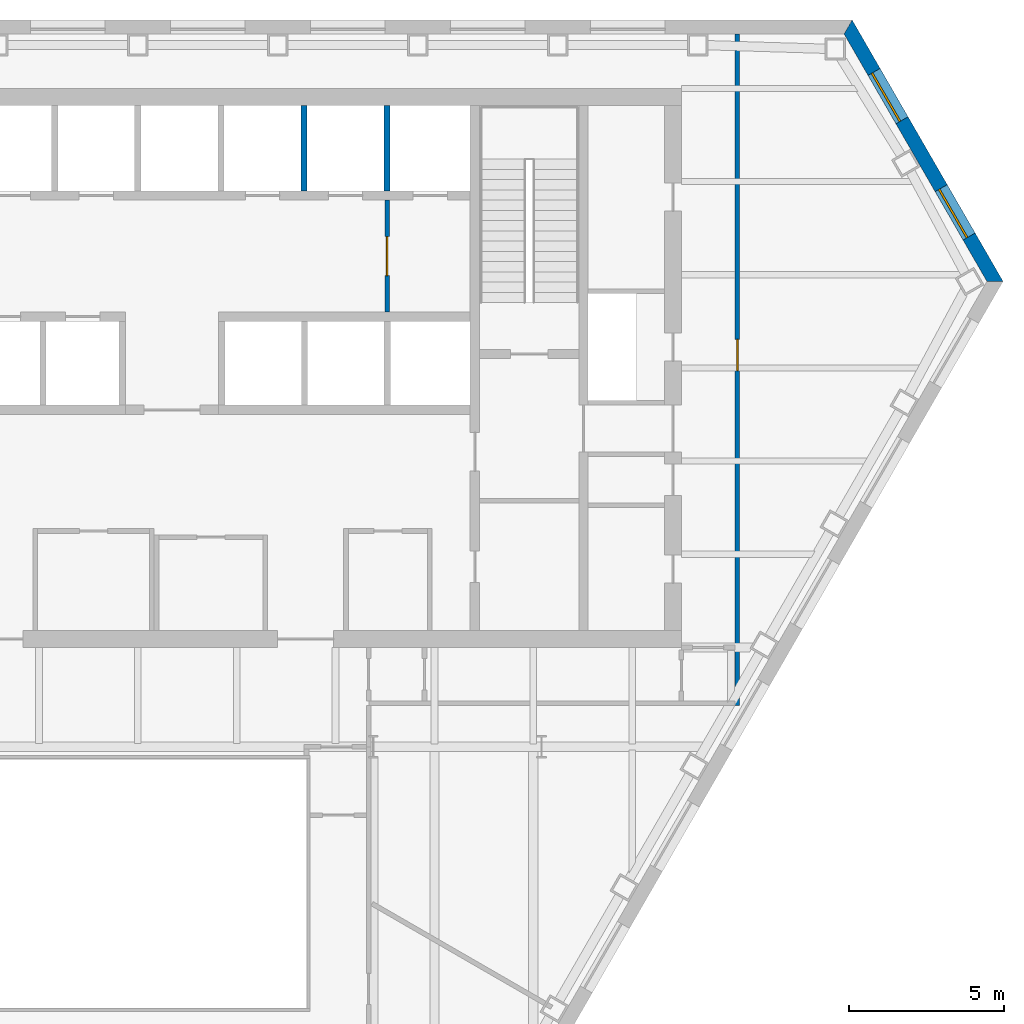
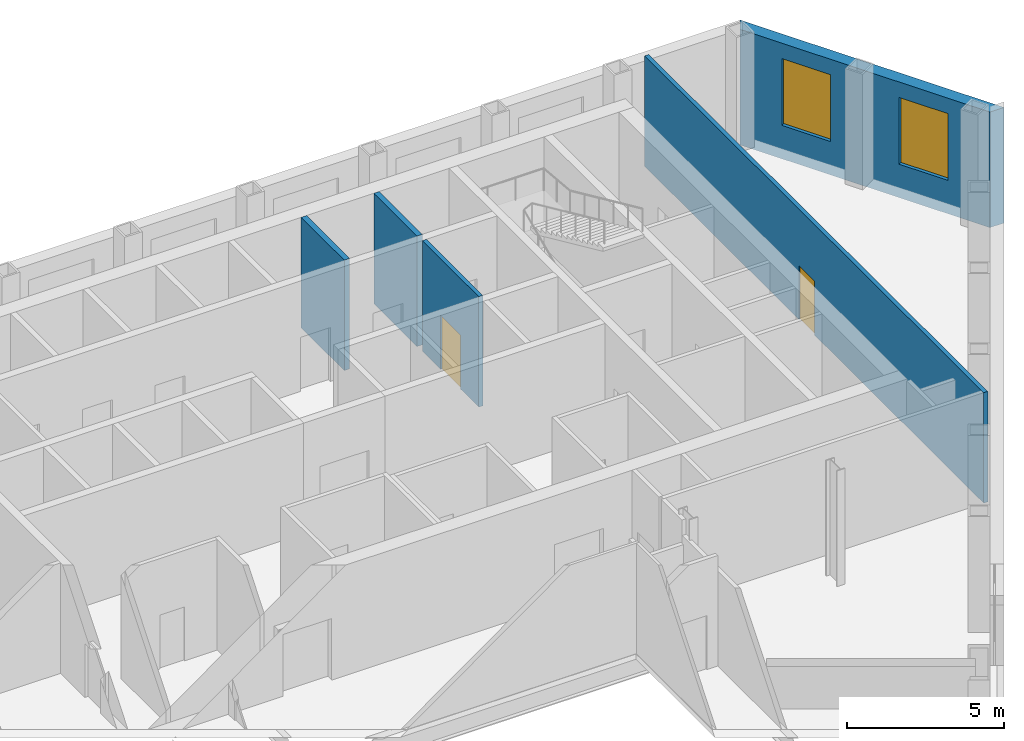
# One storey, part 8 of 11: 5 walls, 2 doors, 2 windows, 4 openings.
"""IFC4 building model written with IfcOpenShell, lengths in metres."""

from ifc_helpers import new_model, si_unit, direction, frame, frame_2d, origin, place, context, subcontext, project, spatial, polyline, rectangle, outline, extrude, material, layer, layer_set, type_object, element, fill, save


model = new_model("IFC4")

# Units and contexts
model_context = context("Model", 3, precision=1e-05, world=origin(), true_north=direction((0.0, 1.0)))
body_context = subcontext(model_context, "Body", "Model", "MODEL_VIEW")
ifc_project = project(units=[si_unit("LENGTHUNIT", "METRE"), si_unit("AREAUNIT", "SQUARE_METRE"), si_unit("VOLUMEUNIT", "CUBIC_METRE"), si_unit("PLANEANGLEUNIT", "RADIAN"), si_unit("MASSUNIT", "GRAM", prefix="KILO")], contexts=[model_context])

# Site, building, storey
site_placement = place(None, origin())
site = spatial("IfcSite", under=ifc_project, at=site_placement, CompositionType="ELEMENT")
building_placement = place(site_placement, origin())
building = spatial("IfcBuilding", under=site, at=building_placement, Name="Njiva Tower", CompositionType="ELEMENT")
storey_placement = place(building_placement, frame((0.0, 0.0, 120.3)))
storey = spatial("IfcBuildingStorey", under=building, at=storey_placement, Name="L25", CompositionType="ELEMENT", Elevation=120.3)

# Wall, opening, door
ifc_material_1 = material(Name="Blockwork", Category="masonry")
ifc_layer_1 = layer(ifc_material_1, 0.15)
ifc_layer_set_1 = layer_set([ifc_layer_1], Name="Blockwork")
wall_type_1 = type_object("IfcWallType", Name="WT2 Lobby partition 150", PredefinedType="PARTITIONING", material=ifc_layer_set_1)
wall_1_placement = place(storey_placement, frame((8.025, 10.8, 0.0), z_axis=(0.0, 0.0, 1.0), x_axis=(0.0, 1.0, 0.0)))
wall_1 = element("IfcWall", 1, at=wall_1_placement, inside=storey, type_object=wall_type_1, Name="Firefighting lobby wall B", PredefinedType="PARTITIONING", context=body_context, shape_type="SweptSolid", body=[
    extrude(rectangle(XDim=3.6, YDim=0.15, at=frame_2d((1.8, 0.0))), origin(), (0.0, 0.0, 1.0), 4.3),
])
opening_1_placement = place(wall_1_placement, frame((1.175, 0.0, 0.0)))
opening_1 = element("IfcOpeningElement", 2, at=opening_1_placement, cuts=wall_1, Name="Opening S08-D916", PredefinedType="OPENING", context=body_context, shape_type="SweptSolid", body=[
    extrude(rectangle(XDim=1.25, YDim=2.1, at=frame_2d((0.625, 1.05))), frame((0.0, 0.085, 0.0), z_axis=(0.0, -1.0, 0.0), x_axis=(1.0, 0.0, 0.0)), (0.0, 0.0, 1.0), 0.17),
])
ifc_material_2 = material(Name="Glazed steel fire door", Category="steel")
door_type_1 = type_object("IfcDoorType", Name="D8 Vestibule corridor door 1250x2100 glazed", OperationType="SINGLE_SWING_LEFT", PredefinedType="DOOR", material=ifc_material_2)
door_1_placement = place(opening_1_placement, origin())
door_1 = element("IfcDoor", 3, at=door_1_placement, inside=storey, type_object=door_type_1, Name="Stair vestibule corridor door", OperationType="SINGLE_SWING_LEFT", OverallHeight=2.1, OverallWidth=1.25, PredefinedType="DOOR", context=body_context, shape_type="SweptSolid", body=[
    extrude(rectangle(XDim=1.25, YDim=2.1, at=frame_2d((0.625, 1.05))), frame((0.0, 0.025, 0.0), z_axis=(0.0, -1.0, 0.0), x_axis=(1.0, 0.0, 0.0)), (0.0, 0.0, 1.0), 0.05),
])
fill(opening_1, door_1)

ifc_material_3 = material(Name="Gypsum board on steel studs", Category="gypsum")
ifc_layer_2 = layer(ifc_material_3, 0.15)
ifc_layer_set_2 = layer_set([ifc_layer_2], Name="Gypsum board on steel studs")
wall_type_2 = type_object("IfcWallType", Name="WT21 Compartment wall 150", PredefinedType="PARTITIONING", material=ifc_layer_set_2)
wall_2_placement = place(storey_placement, frame((19.3, -1.875, 0.0), z_axis=(0.0, 0.0, 1.0), x_axis=(0.0, 1.0, 0.0)))
wall_2 = element("IfcWall", 4, at=wall_2_placement, inside=storey, type_object=wall_type_2, Name="Partition S08-P026", PredefinedType="PARTITIONING", context=body_context, shape_type="SweptSolid", body=[
    extrude(rectangle(XDim=21.625, YDim=0.15, at=frame_2d((10.8125, 0.0))), origin(), (0.0, 0.0, 1.0), 4.3),
])
opening_2_placement = place(wall_2_placement, frame((10.791, 0.0, 0.0)))
opening_2 = element("IfcOpeningElement", 5, at=opening_2_placement, cuts=wall_2, Name="Opening S08-D018", PredefinedType="OPENING", context=body_context, shape_type="SweptSolid", body=[
    extrude(rectangle(XDim=1.0, YDim=2.1, at=frame_2d((0.5, 1.05))), frame((0.0, 0.085, 0.0), z_axis=(0.0, -1.0, 0.0), x_axis=(1.0, 0.0, 0.0)), (0.0, 0.0, 1.0), 0.17),
])
ifc_material_4 = material(Name="Steel fire door set", Category="steel")
door_type_2 = type_object("IfcDoorType", Name="D37 Fire door 1000x2100", OperationType="SINGLE_SWING_LEFT", PredefinedType="DOOR", material=ifc_material_4)
door_2_placement = place(opening_2_placement, origin())
door_2 = element("IfcDoor", 6, at=door_2_placement, inside=storey, type_object=door_type_2, Name="Door S08-D018", OperationType="SINGLE_SWING_RIGHT", OverallHeight=2.1, OverallWidth=1.0, PredefinedType="DOOR", context=body_context, shape_type="SweptSolid", body=[
    extrude(rectangle(XDim=1.0, YDim=2.1, at=frame_2d((0.5, 1.05))), frame((0.0, 0.025, 0.0), z_axis=(0.0, -1.0, 0.0), x_axis=(1.0, 0.0, 0.0)), (0.0, 0.0, 1.0), 0.05),
])
fill(opening_2, door_2)

# Walls
ifc_material_5 = material(Name="Concrete C40/50", Category="concrete")
ifc_layer_3 = layer(ifc_material_5, 0.2)
ifc_layer_set_3 = layer_set([ifc_layer_3], Name="Concrete C40/50")
wall_type_3 = type_object("IfcWallType", Name="WT6 Lift shaft wall 200", PredefinedType="SHEAR", material=ifc_layer_set_3)
for number, where, z_axis, x_axis, name in (
    (7, (5.35, 14.7, 0.0), (0.0, 0.0, 1.0), (0.0, 1.0, 0.0), "Shaft wall CN6"),
    (8, (8.025, 14.7, 0.0), (0.0, 0.0, 1.0), (0.0, 1.0, 0.0), "Shaft wall CN7"),
):
    element("IfcWall", number, at=place(storey_placement, frame(where, z_axis=z_axis, x_axis=x_axis)), inside=storey, type_object=wall_type_3, Name=name, PredefinedType="SHEAR", context=body_context, shape_type="SweptSolid", body=[
        extrude(rectangle(XDim=2.75, YDim=0.2, at=frame_2d((1.375, 0.0))), origin(), (0.0, 0.0, 1.0), 4.3),
    ])

# Wall, openings, windows
ifc_material_6 = material(Name="Brick masonry, buff", Category="masonry")
ifc_layer_4 = layer(ifc_material_6, 0.45)
ifc_layer_set_4 = layer_set([ifc_layer_4], Name="Brick masonry, buff")
wall_type_4 = type_object("IfcWallType", Name="WT94 Brick pier and spandrel wall 450, buff", PredefinedType="SOLIDWALL", material=ifc_layer_set_4)
wall_3_placement = place(storey_placement, frame((27.5989, 11.7844, -0.4), z_axis=(0.0, 0.0, 1.0), x_axis=(-0.499998788182, 0.866026103427, 0.0)))
wall_3 = element("IfcWall", 9, at=wall_3_placement, inside=storey, type_object=wall_type_4, Name="Facade wall NE", PredefinedType="SOLIDWALL", context=body_context, shape_type="SweptSolid", body=[
    extrude(outline(polyline([(-0.1299, -0.225), (9.5901, -0.225), (9.3303, 0.225), (0.1299, 0.225), (-0.1299, -0.225)])), origin(), (0.0, 0.0, 1.0), 4.5),
])
opening_3_placement = place(wall_3_placement, frame((1.6694, 0.0, 1.3)))
opening_3 = element("IfcOpeningElement", 10, at=opening_3_placement, cuts=wall_3, Name="Opening S08-W33", PredefinedType="OPENING", context=body_context, shape_type="SweptSolid", body=[
    extrude(rectangle(XDim=1.8, YDim=2.6, at=frame_2d((0.9, 1.3))), frame((0.0, 0.235, 0.0), z_axis=(0.0, -1.0, 0.0), x_axis=(1.0, 0.0, 0.0)), (0.0, 0.0, 1.0), 0.47),
])
opening_4_placement = place(wall_3_placement, frame((5.9907, 0.0, 1.3)))
opening_4 = element("IfcOpeningElement", 11, at=opening_4_placement, cuts=wall_3, Name="Opening S08-W34", PredefinedType="OPENING", context=body_context, shape_type="SweptSolid", body=[
    extrude(rectangle(XDim=1.8, YDim=2.6, at=frame_2d((0.9, 1.3))), frame((0.0, 0.235, 0.0), z_axis=(0.0, -1.0, 0.0), x_axis=(1.0, 0.0, 0.0)), (0.0, 0.0, 1.0), 0.47),
])
ifc_material_7 = material(Name="Clear glazing in aluminium frame", Category="aluminium")
window_type = type_object("IfcWindowType", Name="W96 Deep-set window 1800x2600", PartitioningType="SINGLE_PANEL", PredefinedType="WINDOW", material=ifc_material_7)
window_1_placement = place(opening_3_placement, origin())
window_1 = element("IfcWindow", 12, at=window_1_placement, inside=storey, type_object=window_type, Name="Window", OverallHeight=2.6, OverallWidth=1.8, PartitioningType="SINGLE_PANEL", PredefinedType="WINDOW", context=body_context, shape_type="SweptSolid", body=[
    extrude(rectangle(XDim=1.8, YDim=2.6, at=frame_2d((0.9, 1.3))), frame((0.0, 0.105, 0.0), z_axis=(0.0, -1.0, 0.0), x_axis=(1.0, 0.0, 0.0)), (0.0, 0.0, 1.0), 0.06),
])
fill(opening_3, window_1)
window_2_placement = place(opening_4_placement, origin())
window_2 = element("IfcWindow", 13, at=window_2_placement, inside=storey, type_object=window_type, Name="Window", OverallHeight=2.6, OverallWidth=1.8, PartitioningType="SINGLE_PANEL", PredefinedType="WINDOW", context=body_context, shape_type="SweptSolid", body=[
    extrude(rectangle(XDim=1.8, YDim=2.6, at=frame_2d((0.9, 1.3))), frame((0.0, 0.105, 0.0), z_axis=(0.0, -1.0, 0.0), x_axis=(1.0, 0.0, 0.0)), (0.0, 0.0, 1.0), 0.06),
])
fill(opening_4, window_2)

save(model, "model.ifc")
